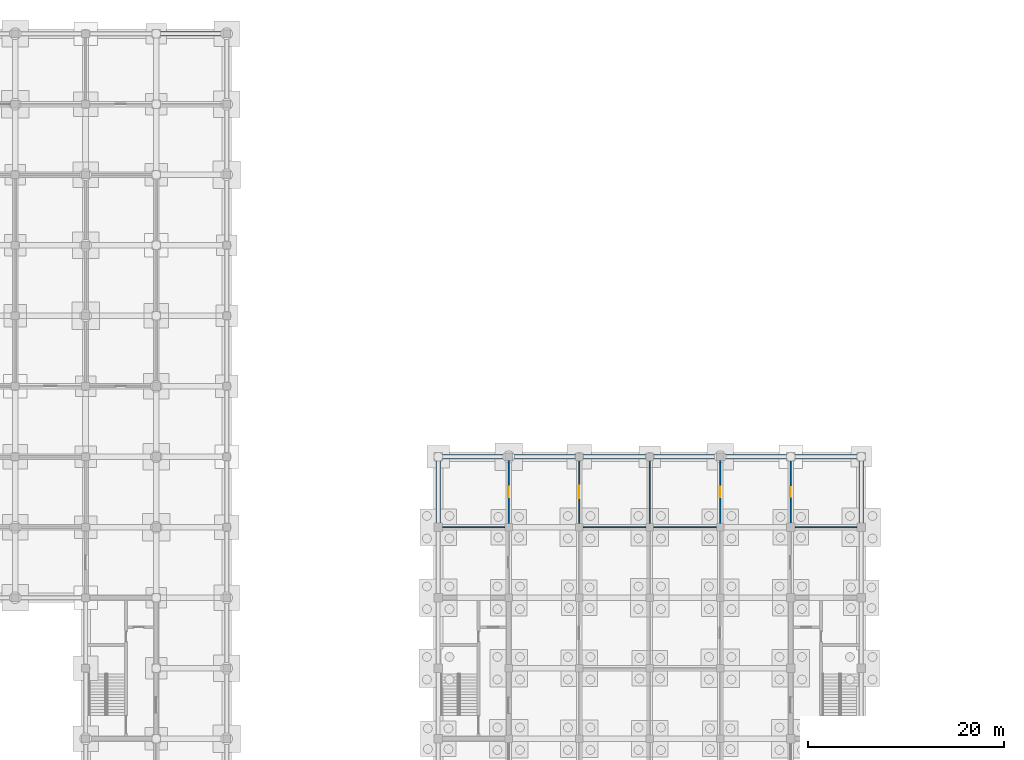
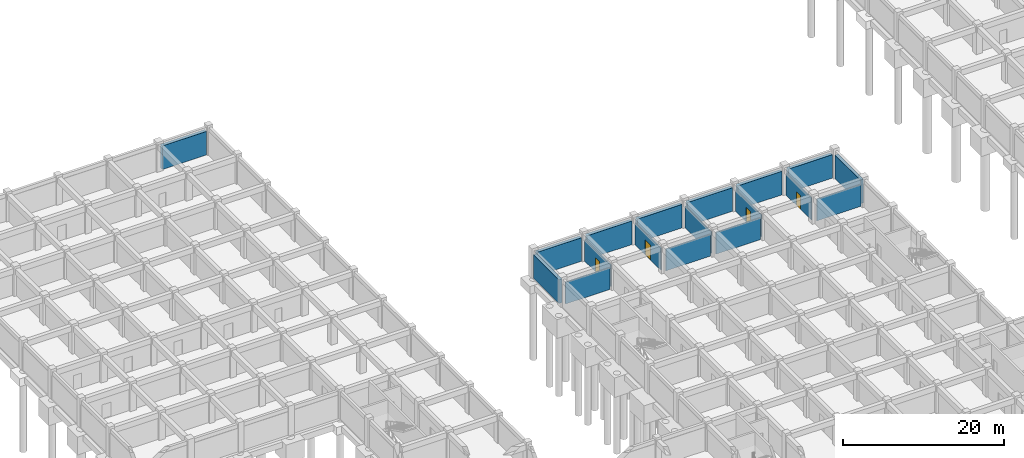
# One storey, part 20 of 25: 18 walls, 4 doors, 4 openings.
"""IFC4 building model written with IfcOpenShell, lengths in metres."""

from ifc_helpers import new_model, si_unit, direction, frame, frame_2d, origin, place, context, subcontext, project, spatial, rectangle, extrude, material, layer, layer_set, type_object, element, fill, save


model = new_model("IFC4")

# Units and contexts
model_context = context("Model", 3, precision=1e-05, world=origin(), true_north=direction((0.0, 1.0)))
body_context = subcontext(model_context, "Body", "Model", "MODEL_VIEW")
ifc_project = project(units=[si_unit("LENGTHUNIT", "METRE"), si_unit("AREAUNIT", "SQUARE_METRE"), si_unit("VOLUMEUNIT", "CUBIC_METRE"), si_unit("PLANEANGLEUNIT", "RADIAN"), si_unit("MASSUNIT", "GRAM", prefix="KILO")], contexts=[model_context])

# Site, building, storey
site_placement = place(None, origin())
site = spatial("IfcSite", under=ifc_project, at=site_placement, CompositionType="ELEMENT")
building_placement = place(site_placement, origin())
building = spatial("IfcBuilding", under=site, at=building_placement, Name="Cendaluz Park School", CompositionType="ELEMENT")
storey_placement = place(building_placement, frame((0.0, 0.0, -4.5)))
storey = spatial("IfcBuildingStorey", under=building, at=storey_placement, Name="B1", CompositionType="ELEMENT", Elevation=-4.5)

# Walls
ifc_material_1 = material(Name="Concrete C40/50", Category="concrete")
ifc_layer_1 = layer(ifc_material_1, 0.449951171875)
ifc_layer_set_1 = layer_set([ifc_layer_1], Name="Concrete C40/50")
wall_type_1 = type_object("IfcWallType", Name="W-RT45", PredefinedType="SOLIDWALL", material=ifc_layer_set_1)
for number, where, z_axis, x_axis, name in (
    (1, (36.449951171875, 115.199951171875, 0.0), (0.0, 0.0, 1.0), (1.0, 0.0, 0.0), "WL-BA-AE5"),
    (2, (65.25, 72.0, 0.0), (0.0, 0.0, 1.0), (1.0, 0.0, 0.0), "WL-BA-AF8"),
):
    element("IfcWall", number, at=place(storey_placement, frame(where, z_axis=z_axis, x_axis=x_axis)), inside=storey, type_object=wall_type_1, Name=name, PredefinedType="SOLIDWALL", context=body_context, shape_type="SweptSolid", body=[
        extrude(rectangle(XDim=6.35009765625, YDim=0.449951171875, at=frame_2d((3.175048828125, 0.0))), origin(), (0.0, 0.0, 1.0), 3.570068359375),
    ])
wall_1_placement = place(storey_placement, frame((64.800048828125, 65.25, 0.0), z_axis=(0.0, 0.0, 1.0), x_axis=(0.0, 1.0, 0.0)))
element("IfcWall", 3, at=wall_1_placement, inside=storey, type_object=wall_type_1, Name="WL-BA-AF9", PredefinedType="SOLIDWALL", context=body_context, shape_type="SweptSolid", body=[
    extrude(rectangle(XDim=6.300048828125, YDim=0.449951171875, at=frame_2d((3.14990234375, 0.0))), origin(), (0.0, 0.0, 1.0), 3.570068359375),
])
wall_2_placement = place(storey_placement, frame((72.39990234375, 72.0, 0.0), z_axis=(0.0, 0.0, 1.0), x_axis=(1.0, 0.0, 0.0)))
element("IfcWall", 4, at=wall_2_placement, inside=storey, type_object=wall_type_1, Name="WL-BA-AG1", PredefinedType="SOLIDWALL", context=body_context, shape_type="SweptSolid", body=[
    extrude(rectangle(XDim=6.400146484375, YDim=0.449951171875, at=frame_2d((3.2001953125, 0.0))), origin(), (0.0, 0.0, 1.0), 3.570068359375),
])
for number, where, z_axis, x_axis, name in (
    (5, (79.60009765625, 72.0, 0.0), (0.0, 0.0, 1.0), (1.0, 0.0, 0.0), "WL-BA-AG3"),
    (6, (86.800048828125, 72.0, 0.0), (0.0, 0.0, 1.0), (1.0, 0.0, 0.0), "WL-BA-AG5"),
):
    element("IfcWall", number, at=place(storey_placement, frame(where, z_axis=z_axis, x_axis=x_axis)), inside=storey, type_object=wall_type_1, Name=name, PredefinedType="SOLIDWALL", context=body_context, shape_type="SweptSolid", body=[
        extrude(rectangle(XDim=6.39990234375, YDim=0.449951171875, at=frame_2d((3.199951171875, 0.0))), origin(), (0.0, 0.0, 1.0), 3.570068359375),
    ])
wall_3_placement = place(storey_placement, frame((94.0, 72.0, 0.0), z_axis=(0.0, 0.0, 1.0), x_axis=(1.0, 0.0, 0.0)))
element("IfcWall", 7, at=wall_3_placement, inside=storey, type_object=wall_type_1, Name="WL-BA-AG7", PredefinedType="SOLIDWALL", context=body_context, shape_type="SweptSolid", body=[
    extrude(rectangle(XDim=6.35009765625, YDim=0.449951171875, at=frame_2d((3.175048828125, 0.0))), origin(), (0.0, 0.0, 1.0), 3.570068359375),
])
for number, where, z_axis, x_axis, name in (
    (8, (101.25, 72.0, 0.0), (0.0, 0.0, 1.0), (1.0, 0.0, 0.0), "WL-BA-AH2"),
    (9, (108.0, 65.25, 0.0), (0.0, 0.0, 1.0), (0.0, 1.0, 0.0), "WL-BA-AH3"),
):
    element("IfcWall", number, at=place(storey_placement, frame(where, z_axis=z_axis, x_axis=x_axis)), inside=storey, type_object=wall_type_1, Name=name, PredefinedType="SOLIDWALL", context=body_context, shape_type="SweptSolid", body=[
        extrude(rectangle(XDim=6.300048828125, YDim=0.449951171875, at=frame_2d((3.14990234375, 0.0))), origin(), (0.0, 0.0, 1.0), 3.570068359375),
    ])
ifc_material_2 = material(Name="Gypsum Plasterboard on Cold-Formed Stud", Category="gypsum")
ifc_layer_2 = layer(ifc_material_2, 0.139892578125)
ifc_layer_set_2 = layer_set([ifc_layer_2], Name="Gypsum Plasterboard on Cold-Formed Stud")
wall_type_2 = type_object("IfcWallType", Name="W-ST14", PredefinedType="PARTITIONING", material=ifc_layer_set_2)
wall_4_placement = place(storey_placement, frame((65.25, 64.800048828125, 0.0), z_axis=(0.0, 0.0, 1.0), x_axis=(1.0, 0.0, 0.0)))
element("IfcWall", 10, at=wall_4_placement, inside=storey, type_object=wall_type_2, Name="WL-BA-CK3", PredefinedType="PARTITIONING", context=body_context, shape_type="SweptSolid", body=[
    extrude(rectangle(XDim=6.35009765625, YDim=0.139892578125, at=frame_2d((3.175048828125, 0.0))), origin(), (0.0, 0.0, 1.0), 3.300048828125),
])

# Wall, opening, door
wall_5_placement = place(storey_placement, frame((72.0, 65.199951171875, 0.0), z_axis=(0.0, 0.0, 1.0), x_axis=(0.0, 1.0, 0.0)))
wall_5 = element("IfcWall", 11, at=wall_5_placement, inside=storey, type_object=wall_type_2, Name="WL-BA-CK5", PredefinedType="PARTITIONING", context=body_context, shape_type="SweptSolid", body=[
    extrude(rectangle(XDim=6.400146484375, YDim=0.139892578125, at=frame_2d((3.2001953125, 0.0))), origin(), (0.0, 0.0, 1.0), 3.300048828125),
])
opening_1_placement = place(wall_5_placement, frame((2.659912109375, 0.0, 0.0)))
opening_1 = element("IfcOpeningElement", 12, at=opening_1_placement, cuts=wall_5, Name="Opening DCL-05", PredefinedType="OPENING", context=body_context, shape_type="SweptSolid", body=[
    extrude(rectangle(XDim=1.080078125, YDim=2.179931640625, at=frame_2d((0.5400390625, 1.08984375))), frame((0.0, 0.08203125, 0.0), z_axis=(0.0, -1.0, 0.0), x_axis=(1.0, 0.0, 0.0)), (0.0, 0.0, 1.0), 0.163818359375),
])
ifc_material_3 = material(Name="Solid Core Hardwood", Category="wood")
door_type_1 = type_object("IfcDoorType", Name="DCL-05", OperationType="NOTDEFINED", PredefinedType="DOOR", material=ifc_material_3)
door_1_placement = place(opening_1_placement, origin())
door_1 = element("IfcDoor", 13, at=door_1_placement, inside=storey, type_object=door_type_1, Name="D-B1-069", OperationType="SINGLE_SWING_RIGHT", OverallHeight=2.179931640625, OverallWidth=1.080078125, PredefinedType="DOOR", context=body_context, shape_type="SweptSolid", body=[
    extrude(rectangle(XDim=1.080078125, YDim=2.179931640625, at=frame_2d((0.5400390625, 1.08984375))), frame((0.0, 0.02490234375, 0.0), z_axis=(0.0, -1.0, 0.0), x_axis=(1.0, 0.0, 0.0)), (0.0, 0.0, 1.0), 0.050048828125),
])
fill(opening_1, door_1)

# Wall
wall_6_placement = place(storey_placement, frame((79.60009765625, 64.800048828125, 0.0), z_axis=(0.0, 0.0, 1.0), x_axis=(1.0, 0.0, 0.0)))
element("IfcWall", 14, at=wall_6_placement, inside=storey, type_object=wall_type_2, Name="WL-BA-CM2", PredefinedType="PARTITIONING", context=body_context, shape_type="SweptSolid", body=[
    extrude(rectangle(XDim=6.39990234375, YDim=0.139892578125, at=frame_2d((3.199951171875, 0.0))), origin(), (0.0, 0.0, 1.0), 3.300048828125),
])

# Wall, opening, door
wall_7_placement = place(storey_placement, frame((79.199951171875, 65.199951171875, 0.0), z_axis=(0.0, 0.0, 1.0), x_axis=(0.0, 1.0, 0.0)))
wall_7 = element("IfcWall", 15, at=wall_7_placement, inside=storey, type_object=wall_type_2, Name="WL-BA-CM5", PredefinedType="PARTITIONING", context=body_context, shape_type="SweptSolid", body=[
    extrude(rectangle(XDim=6.400146484375, YDim=0.139892578125, at=frame_2d((3.2001953125, 0.0))), origin(), (0.0, 0.0, 1.0), 3.300048828125),
])
opening_2_placement = place(wall_7_placement, frame((2.56005859375, 0.0, 0.0)))
opening_2 = element("IfcOpeningElement", 16, at=opening_2_placement, cuts=wall_7, Name="Opening DCL-10", PredefinedType="OPENING", context=body_context, shape_type="SweptSolid", body=[
    extrude(rectangle(XDim=1.280029296875, YDim=2.280029296875, at=frame_2d((0.64013671875, 1.14013671875))), frame((0.0, 0.08203125, 0.0), z_axis=(0.0, -1.0, 0.0), x_axis=(1.0, 0.0, 0.0)), (0.0, 0.0, 1.0), 0.163818359375),
])
door_type_2 = type_object("IfcDoorType", Name="DCL-10", OperationType="NOTDEFINED", PredefinedType="DOOR", material=ifc_material_3)
door_2_placement = place(opening_2_placement, frame((1.280029296875, 0.0, 0.0), z_axis=(0.0, 0.0, 1.0), x_axis=(-1.0, 0.0, 0.0)))
door_2 = element("IfcDoor", 17, at=door_2_placement, inside=storey, type_object=door_type_2, Name="D-B1-074", OperationType="SINGLE_SWING_LEFT", OverallHeight=2.280029296875, OverallWidth=1.280029296875, PredefinedType="DOOR", context=body_context, shape_type="SweptSolid", body=[
    extrude(rectangle(XDim=1.280029296875, YDim=2.280029296875, at=frame_2d((0.64013671875, 1.14013671875))), frame((0.0, 0.02490234375, 0.0), z_axis=(0.0, -1.0, 0.0), x_axis=(1.0, 0.0, 0.0)), (0.0, 0.0, 1.0), 0.050048828125),
])
fill(opening_2, door_2)

# Walls
wall_8_placement = place(storey_placement, frame((86.39990234375, 65.199951171875, 0.0), z_axis=(0.0, 0.0, 1.0), x_axis=(0.0, 1.0, 0.0)))
element("IfcWall", 18, at=wall_8_placement, inside=storey, type_object=wall_type_2, Name="WL-BA-CM6", PredefinedType="PARTITIONING", context=body_context, shape_type="SweptSolid", body=[
    extrude(rectangle(XDim=6.400146484375, YDim=0.139892578125, at=frame_2d((3.2001953125, 0.0))), origin(), (0.0, 0.0, 1.0), 3.300048828125),
])
wall_9_placement = place(storey_placement, frame((86.800048828125, 64.800048828125, 0.0), z_axis=(0.0, 0.0, 1.0), x_axis=(1.0, 0.0, 0.0)))
element("IfcWall", 19, at=wall_9_placement, inside=storey, type_object=wall_type_2, Name="WL-BA-CO0", PredefinedType="PARTITIONING", context=body_context, shape_type="SweptSolid", body=[
    extrude(rectangle(XDim=6.39990234375, YDim=0.139892578125, at=frame_2d((3.199951171875, 0.0))), origin(), (0.0, 0.0, 1.0), 3.300048828125),
])

# Wall, opening, door
wall_10_placement = place(storey_placement, frame((93.60009765625, 65.199951171875, 0.0), z_axis=(0.0, 0.0, 1.0), x_axis=(0.0, 1.0, 0.0)))
wall_10 = element("IfcWall", 20, at=wall_10_placement, inside=storey, type_object=wall_type_2, Name="WL-BA-CO2", PredefinedType="PARTITIONING", context=body_context, shape_type="SweptSolid", body=[
    extrude(rectangle(XDim=6.400146484375, YDim=0.139892578125, at=frame_2d((3.2001953125, 0.0))), origin(), (0.0, 0.0, 1.0), 3.300048828125),
])
opening_3_placement = place(wall_10_placement, frame((2.639892578125, 0.0, 0.0)))
opening_3 = element("IfcOpeningElement", 21, at=opening_3_placement, cuts=wall_10, Name="Opening DCL-06", PredefinedType="OPENING", context=body_context, shape_type="SweptSolid", body=[
    extrude(rectangle(XDim=1.1201171875, YDim=2.199951171875, at=frame_2d((0.56005859375, 1.10009765625))), frame((0.0, 0.08203125, 0.0), z_axis=(0.0, -1.0, 0.0), x_axis=(1.0, 0.0, 0.0)), (0.0, 0.0, 1.0), 0.163818359375),
])
door_type_3 = type_object("IfcDoorType", Name="DCL-06", OperationType="NOTDEFINED", PredefinedType="DOOR", material=ifc_material_3)
door_3_placement = place(opening_3_placement, origin())
door_3 = element("IfcDoor", 22, at=door_3_placement, inside=storey, type_object=door_type_3, Name="D-B1-080", OperationType="SINGLE_SWING_LEFT", OverallHeight=2.199951171875, OverallWidth=1.1201171875, PredefinedType="DOOR", context=body_context, shape_type="SweptSolid", body=[
    extrude(rectangle(XDim=1.1201171875, YDim=2.199951171875, at=frame_2d((0.56005859375, 1.10009765625))), frame((0.0, 0.02490234375, 0.0), z_axis=(0.0, -1.0, 0.0), x_axis=(1.0, 0.0, 0.0)), (0.0, 0.0, 1.0), 0.050048828125),
])
fill(opening_3, door_3)

# Wall
wall_11_placement = place(storey_placement, frame((101.25, 64.800048828125, 0.0), z_axis=(0.0, 0.0, 1.0), x_axis=(1.0, 0.0, 0.0)))
element("IfcWall", 23, at=wall_11_placement, inside=storey, type_object=wall_type_2, Name="WL-BA-CO8", PredefinedType="PARTITIONING", context=body_context, shape_type="SweptSolid", body=[
    extrude(rectangle(XDim=6.300048828125, YDim=0.139892578125, at=frame_2d((3.14990234375, 0.0))), origin(), (0.0, 0.0, 1.0), 3.300048828125),
])

# Wall, opening, door
wall_12_placement = place(storey_placement, frame((100.800048828125, 65.25, 0.0), z_axis=(0.0, 0.0, 1.0), x_axis=(0.0, 1.0, 0.0)))
wall_12 = element("IfcWall", 24, at=wall_12_placement, inside=storey, type_object=wall_type_2, Name="WL-BA-CP0", PredefinedType="PARTITIONING", context=body_context, shape_type="SweptSolid", body=[
    extrude(rectangle(XDim=6.300048828125, YDim=0.139892578125, at=frame_2d((3.14990234375, 0.0))), origin(), (0.0, 0.0, 1.0), 3.300048828125),
])
opening_4_placement = place(wall_12_placement, frame((2.64990234375, 0.0, 0.0)))
opening_4 = element("IfcOpeningElement", 25, at=opening_4_placement, cuts=wall_12, Name="Opening DCL-01", PredefinedType="OPENING", context=body_context, shape_type="SweptSolid", body=[
    extrude(rectangle(XDim=1.0, YDim=2.10009765625, at=frame_2d((0.5, 1.050048828125))), frame((0.0, 0.08203125, 0.0), z_axis=(0.0, -1.0, 0.0), x_axis=(1.0, 0.0, 0.0)), (0.0, 0.0, 1.0), 0.163818359375),
])
door_type_4 = type_object("IfcDoorType", Name="DCL-01", OperationType="NOTDEFINED", PredefinedType="DOOR", material=ifc_material_3)
door_4_placement = place(opening_4_placement, frame((1.0, 0.0, 0.0), z_axis=(0.0, 0.0, 1.0), x_axis=(-1.0, 0.0, 0.0)))
door_4 = element("IfcDoor", 26, at=door_4_placement, inside=storey, type_object=door_type_4, Name="D-B1-085", OperationType="SINGLE_SWING_RIGHT", OverallHeight=2.10009765625, OverallWidth=1.0, PredefinedType="DOOR", context=body_context, shape_type="SweptSolid", body=[
    extrude(rectangle(XDim=1.0, YDim=2.10009765625, at=frame_2d((0.5, 1.050048828125))), frame((0.0, 0.02490234375, 0.0), z_axis=(0.0, -1.0, 0.0), x_axis=(1.0, 0.0, 0.0)), (0.0, 0.0, 1.0), 0.050048828125),
])
fill(opening_4, door_4)

save(model, "model.ifc")
